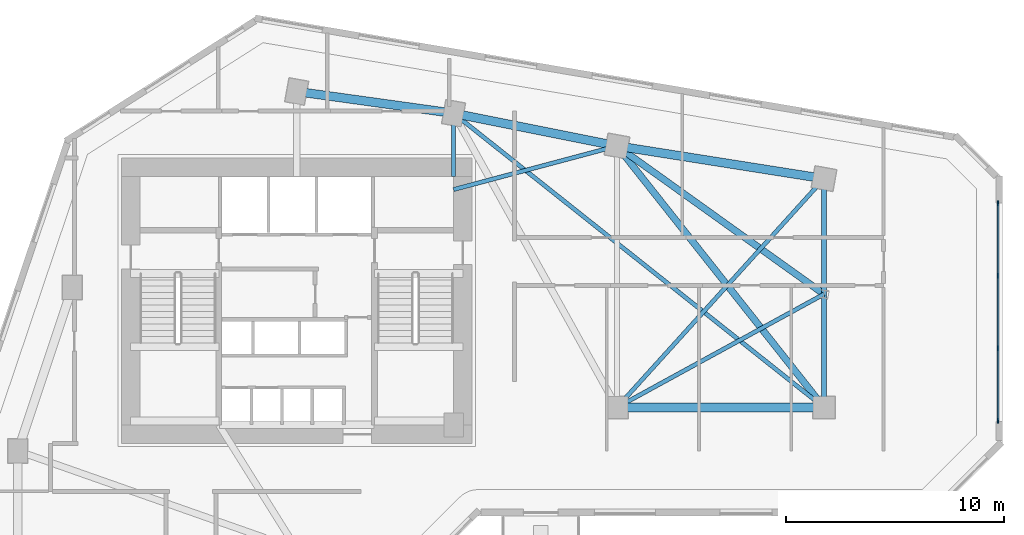
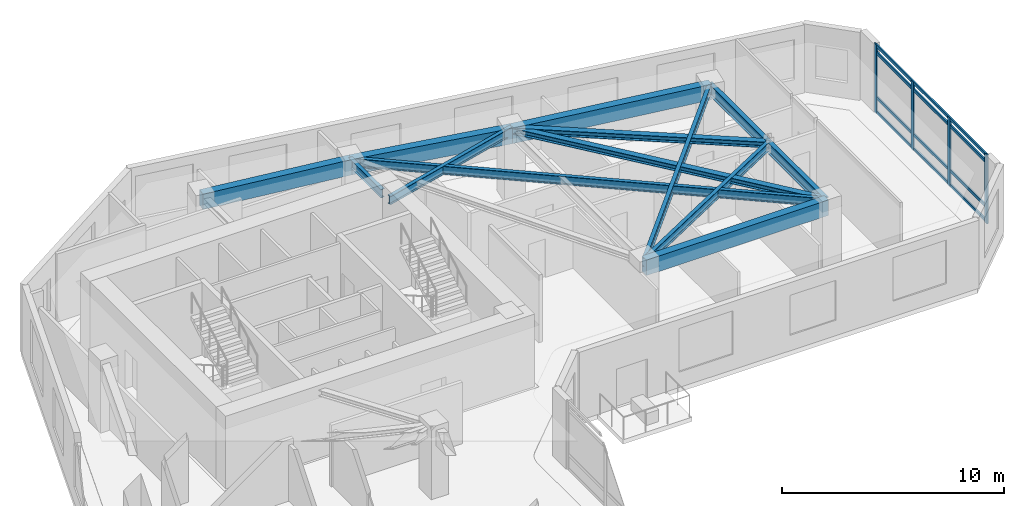
# One storey, part 3 of 9: 12 beams, 8 members, 1 element without a shape of its own.
"""IFC4 building model written with IfcOpenShell, lengths in metres."""

from ifc_helpers import new_model, si_unit, direction, frame, origin, origin_2d, place, context, subcontext, project, spatial, rectangle, i_section, extrude, source, transform, mapped, material, material_profile, profile_set, type_object, element, aggregate, save


model = new_model("IFC4")

# Units and contexts
model_context = context("Model", 3, precision=1e-05, world=origin(), true_north=direction((0.0, 1.0)))
body_context = subcontext(model_context, "Body", "Model", "MODEL_VIEW")
ifc_project = project(units=[si_unit("LENGTHUNIT", "METRE"), si_unit("AREAUNIT", "SQUARE_METRE"), si_unit("VOLUMEUNIT", "CUBIC_METRE"), si_unit("PLANEANGLEUNIT", "RADIAN"), si_unit("MASSUNIT", "GRAM", prefix="KILO")], contexts=[model_context])

# Site, building, storey
site_placement = place(None, origin())
site = spatial("IfcSite", under=ifc_project, at=site_placement, CompositionType="ELEMENT")
building_placement = place(site_placement, origin())
building = spatial("IfcBuilding", under=site, at=building_placement, Name="Calvemar Wedge Station Tower", CompositionType="ELEMENT")
storey_placement = place(building_placement, frame((0.0, 0.0, 91.0)))
storey = spatial("IfcBuildingStorey", under=building, at=storey_placement, Name="L22", CompositionType="ELEMENT", Elevation=91.0)

# Beams
ifc_material_1 = material(Name="Concrete C60", Category="concrete")
ifc_material_profile_1 = material_profile(ifc_material_1, rectangle(XDim=0.39990234375, YDim=0.85009765625, at=origin_2d()), Name="RC400x850")
ifc_profile_set_1 = profile_set([ifc_material_profile_1], Name="Concrete C60")
beam_type_1 = type_object("IfcBeamType", Name="BM-SP1-850", PredefinedType="SPANDREL", material=ifc_profile_set_1)
shared_shape_1 = source(origin(), body_context, "Body", "SweptSolid", [
    extrude(rectangle(XDim=0.39990234375, YDim=0.85009765625, at=origin_2d()), origin(), (0.0, 0.0, 1.0), 7.26904296875),
])
beam_1_placement = place(storey_placement, frame((23.800048828125, 49.5, 3.324951171875), z_axis=(0.990492146053, -0.13756928657, 0.0), x_axis=(0.13756928657, 0.990492146053, 0.0)))
element("IfcBeam", 1, at=beam_1_placement, inside=storey, type_object=beam_type_1, Name="Storey L22 Spandrel T-N1-T-N2", PredefinedType="SPANDREL", context=body_context, shape_type="MappedRepresentation", body=[
    mapped(shared_shape_1, transform((0.0, 0.0, 0.0), scale=1.0)),
])
shared_shape_2 = source(origin(), body_context, "Body", "SweptSolid", [
    extrude(rectangle(XDim=0.39990234375, YDim=0.85009765625, at=origin_2d()), origin(), (0.0, 0.0, 1.0), 7.6484375),
])
beam_2_placement = place(storey_placement, frame((31.0, 48.5, 3.324951171875), z_axis=(0.980580675691, -0.196116135138, 0.0), x_axis=(0.196116135138, 0.980580675691, 0.0)))
element("IfcBeam", 2, at=beam_2_placement, inside=storey, type_object=beam_type_1, Name="Storey L22 Spandrel T-N2-T-NU3", PredefinedType="SPANDREL", context=body_context, shape_type="MappedRepresentation", body=[
    mapped(shared_shape_2, transform((0.0, 0.0, 0.0), scale=1.0)),
])
shared_shape_3 = source(origin(), body_context, "Body", "SweptSolid", [
    extrude(rectangle(XDim=0.39990234375, YDim=0.85009765625, at=origin_2d()), origin(), (0.0, 0.0, 1.0), 9.61767578125),
])
beam_3_placement = place(storey_placement, frame((38.5, 47.0, 3.324951171875), z_axis=(0.987762965329, -0.155962573473, 0.0), x_axis=(0.155962573473, 0.987762965329, 0.0)))
element("IfcBeam", 3, at=beam_3_placement, inside=storey, type_object=beam_type_1, Name="Storey L22 Spandrel T-NU3-T-NU4", PredefinedType="SPANDREL", context=body_context, shape_type="MappedRepresentation", body=[
    mapped(shared_shape_3, transform((0.0, 0.0, 0.0), scale=1.0)),
])
shared_shape_4 = source(origin(), body_context, "Body", "SweptSolid", [
    extrude(rectangle(XDim=0.39990234375, YDim=0.85009765625, at=origin_2d()), origin(), (0.0, 0.0, 1.0), 9.5),
])
beam_4_placement = place(storey_placement, frame((38.5, 35.0, 3.324951171875), z_axis=(1.0, 0.0, 0.0), x_axis=(0.0, 1.0, 0.0)))
element("IfcBeam", 4, at=beam_4_placement, inside=storey, type_object=beam_type_1, Name="Storey L22 Spandrel T-NL2-T-NL3", PredefinedType="SPANDREL", context=body_context, shape_type="MappedRepresentation", body=[
    mapped(shared_shape_4, transform((0.0, 0.0, 0.0), scale=1.0)),
])
ifc_material_2 = material(Name="Structural steel ASTM A572 Grade 50", Category="steel")
ifc_material_profile_2 = material_profile(ifc_material_2, i_section(OverallWidth=0.22998046875, OverallDepth=0.616943359375, WebThickness=0.01318359375, FlangeThickness=0.022216796875, FilletRadius=0.012939453125, at=origin_2d()), Name="W610x140")
ifc_profile_set_2 = profile_set([ifc_material_profile_2], Name="Structural steel ASTM A572 Grade 50")
beam_type_2 = type_object("IfcBeamType", Name="BM-SB2-W610", PredefinedType="BEAM", material=ifc_profile_set_2)
shared_shape_5 = source(origin(), body_context, "Body", "SweptSolid", [
    extrude(i_section(OverallWidth=0.22998046875, OverallDepth=0.616943359375, WebThickness=0.01318359375, FlangeThickness=0.022216796875, FilletRadius=0.012939453125, at=origin_2d()), origin(), (0.0, 0.0, 1.0), 10.5),
])
beam_5_placement = place(storey_placement, frame((48.0, 45.5, 3.44140625), z_axis=(0.0, -1.0, 0.0), x_axis=(1.0, 0.0, 0.0)))
element("IfcBeam", 5, at=beam_5_placement, inside=storey, type_object=beam_type_2, Name="Storey L22 Floor Beam T-NU4-T-NL3", PredefinedType="BEAM", context=body_context, shape_type="MappedRepresentation", body=[
    mapped(shared_shape_5, transform((0.0, 0.0, 0.0), scale=1.0)),
])
ifc_material_profile_3 = material_profile(ifc_material_2, i_section(OverallWidth=0.19189453125, OverallDepth=0.462890625, WebThickness=0.010498046875, FlangeThickness=0.017578125, FilletRadius=0.012939453125, at=origin_2d()), Name="W460x89")
ifc_profile_set_3 = profile_set([ifc_material_profile_3], Name="Structural steel ASTM A572 Grade 50")
beam_type_3 = type_object("IfcBeamType", Name="BM-J1-W460", PredefinedType="JOIST", material=ifc_profile_set_3)
shared_shape_6 = source(origin(), body_context, "Body", "SweptSolid", [
    extrude(i_section(OverallWidth=0.19189453125, OverallDepth=0.462890625, WebThickness=0.010498046875, FlangeThickness=0.017578125, FilletRadius=0.012939453125, at=origin_2d()), origin(), (0.0, 0.0, 1.0), 21.708251953125),
])
beam_6_placement = place(storey_placement, frame((31.0, 48.5, 3.5185546875), z_axis=(0.783110847498, -0.621882143602, 0.0), x_axis=(0.621882143602, 0.783110847498, 0.0)))
element("IfcBeam", 6, at=beam_6_placement, inside=storey, type_object=beam_type_3, Name="Storey L22 Floor Beam T-N2-T-NL3", PredefinedType="JOIST", context=body_context, shape_type="MappedRepresentation", body=[
    mapped(shared_shape_6, transform((0.0, 0.0, 0.0), scale=1.0)),
])
ifc_material_profile_4 = material_profile(ifc_material_2, i_section(OverallWidth=0.30908203125, OverallDepth=0.322998046875, WebThickness=0.013916015625, FlangeThickness=0.02294921875, FilletRadius=0.014892578125, at=origin_2d()), Name="W310x143")
ifc_profile_set_4 = profile_set([ifc_material_profile_4], Name="Structural steel ASTM A572 Grade 50")
beam_type_4 = type_object("IfcBeamType", Name="BM-J5-W310H", PredefinedType="JOIST", material=ifc_profile_set_4)
shared_shape_7 = source(origin(), body_context, "Body", "SweptSolid", [
    extrude(i_section(OverallWidth=0.30908203125, OverallDepth=0.322998046875, WebThickness=0.013916015625, FlangeThickness=0.02294921875, FilletRadius=0.014892578125, at=origin_2d()), origin(), (0.0, 0.0, 1.0), 15.30517578125),
])
beam_7_placement = place(storey_placement, frame((38.5, 47.0, 3.58837890625), z_axis=(0.620702944366, -0.784045824462, 0.0), x_axis=(0.784045824462, 0.620702944366, 0.0)))
element("IfcBeam", 7, at=beam_7_placement, inside=storey, type_object=beam_type_4, Name="Storey L22 Floor Beam T-NU3-T-NL3", PredefinedType="JOIST", context=body_context, shape_type="MappedRepresentation", body=[
    mapped(shared_shape_7, transform((0.0, 0.0, 0.0), scale=1.0)),
])
shared_shape_8 = source(origin(), body_context, "Body", "SweptSolid", [
    extrude(i_section(OverallWidth=0.19189453125, OverallDepth=0.462890625, WebThickness=0.010498046875, FlangeThickness=0.017578125, FilletRadius=0.012939453125, at=origin_2d()), origin(), (0.0, 0.0, 1.0), 14.159912109375),
])
beam_8_placement = place(storey_placement, frame((38.5, 35.0, 3.5185546875), z_axis=(0.670913323969, 0.741535779124, 0.0), x_axis=(-0.741535779124, 0.670913323969, 0.0)))
element("IfcBeam", 8, at=beam_8_placement, inside=storey, type_object=beam_type_3, Name="Storey L22 Floor Beam T-NL2-T-NU4", PredefinedType="JOIST", context=body_context, shape_type="MappedRepresentation", body=[
    mapped(shared_shape_8, transform((0.0, 0.0, 0.0), scale=1.0)),
])
shared_shape_9 = source(origin(), body_context, "Body", "SweptSolid", [
    extrude(i_section(OverallWidth=0.30908203125, OverallDepth=0.322998046875, WebThickness=0.013916015625, FlangeThickness=0.02294921875, FilletRadius=0.014892578125, at=origin_2d()), origin(), (0.0, 0.0, 1.0), 11.682861328125),
])
beam_9_placement = place(storey_placement, frame((48.0, 40.199951171875, 3.58837890625), z_axis=(-0.81315274409, 0.582050354161, 0.0), x_axis=(-0.582050354161, -0.81315274409, 0.0)))
element("IfcBeam", 9, at=beam_9_placement, inside=storey, type_object=beam_type_4, Name="Storey L22 Floor Beam T-NTIP-A-T-NU3", PredefinedType="JOIST", context=body_context, shape_type="MappedRepresentation", body=[
    mapped(shared_shape_9, transform((0.0, 0.0, 0.0), scale=1.0)),
])
shared_shape_10 = source(origin(), body_context, "Body", "SweptSolid", [
    extrude(i_section(OverallWidth=0.19189453125, OverallDepth=0.462890625, WebThickness=0.010498046875, FlangeThickness=0.017578125, FilletRadius=0.012939453125, at=origin_2d()), origin(), (0.0, 0.0, 1.0), 10.830078125),
])
beam_10_placement = place(storey_placement, frame((48.0, 40.199951171875, 3.5185546875), z_axis=(-0.877190767997, -0.480142017053, 0.0), x_axis=(0.480142017053, -0.877190767997, 0.0)))
element("IfcBeam", 10, at=beam_10_placement, inside=storey, type_object=beam_type_3, Name="Storey L22 Floor Beam T-NTIP-A-T-NL2", PredefinedType="JOIST", context=body_context, shape_type="MappedRepresentation", body=[
    mapped(shared_shape_10, transform((0.0, 0.0, 0.0), scale=1.0)),
])
shared_shape_11 = source(origin(), body_context, "Body", "SweptSolid", [
    extrude(i_section(OverallWidth=0.19189453125, OverallDepth=0.462890625, WebThickness=0.010498046875, FlangeThickness=0.017578125, FilletRadius=0.012939453125, at=origin_2d()), origin(), (0.0, 0.0, 1.0), 7.76220703125),
])
beam_11_placement = place(storey_placement, frame((31.0, 45.0, 3.5185546875), z_axis=(0.966234939601, 0.25766265056, 0.0), x_axis=(-0.25766265056, 0.966234939601, 0.0)))
element("IfcBeam", 11, at=beam_11_placement, inside=storey, type_object=beam_type_3, Name="Storey L22 Core-to-Column Joist CJ-E2", PredefinedType="JOIST", context=body_context, shape_type="MappedRepresentation", body=[
    mapped(shared_shape_11, transform((0.0, 0.0, 0.0), scale=1.0)),
])
shared_shape_12 = source(origin(), body_context, "Body", "SweptSolid", [
    extrude(i_section(OverallWidth=0.19189453125, OverallDepth=0.462890625, WebThickness=0.010498046875, FlangeThickness=0.017578125, FilletRadius=0.012939453125, at=origin_2d()), origin(), (0.0, 0.0, 1.0), 2.89990234375),
])
beam_12_placement = place(storey_placement, frame((31.0, 45.60009765625, 3.5185546875), z_axis=(0.0, 1.0, 0.0), x_axis=(-1.0, 0.0, 0.0)))
element("IfcBeam", 12, at=beam_12_placement, inside=storey, type_object=beam_type_3, Name="Storey L22 Core-to-Column Joist CJ-N2", PredefinedType="JOIST", context=body_context, shape_type="MappedRepresentation", body=[
    mapped(shared_shape_12, transform((0.0, 0.0, 0.0), scale=1.0)),
])

# Curtain wall, members
ifc_material_3 = material(Name="Anodised aluminium 6063-T6", Category="aluminium")
curtain_wall_type = type_object("IfcCurtainWallType", Name="CW1", PredefinedType="NOTDEFINED", material=ifc_material_3)
curtain_wall_placement = place(storey_placement, origin())
curtain_wall = element("IfcCurtainWall", 13, at=curtain_wall_placement, inside=storey, type_object=curtain_wall_type, Name="Storey L22 CW1 Recessed Unitised Curtain Wall 8", PredefinedType="NOTDEFINED")
ifc_material_profile_5 = material_profile(ifc_material_3, rectangle(XDim=0.080078125, YDim=0.219970703125, at=origin_2d()), Name="AL-MUL-80x220")
ifc_profile_set_5 = profile_set([ifc_material_profile_5], Name="Anodised aluminium 6063-T6")
member_type_1 = type_object("IfcMemberType", Name="CW1-MUL", PredefinedType="MULLION", material=ifc_profile_set_5)
shared_shape_13 = source(origin(), body_context, "Body", "SweptSolid", [
    extrude(rectangle(XDim=0.080078125, YDim=0.219970703125, at=origin_2d()), origin(), (0.0, 0.0, 1.0), 3.800048828125),
])
member_1_placement = place(storey_placement, frame((55.989990234375, 34.39013671875, -0.050048828125), z_axis=(0.0, 0.0, 1.0), x_axis=(1.0, 0.0, 0.0)))
member_1 = element("IfcMember", 14, at=member_1_placement, type_object=member_type_1, Name="CW1 mullion 1", PredefinedType="MULLION", context=body_context, shape_type="MappedRepresentation", body=[
    mapped(shared_shape_13, transform((0.0, 0.0, 0.0), scale=1.0)),
])
member_2_placement = place(storey_placement, frame((55.989990234375, 37.71533203125, -0.050048828125), z_axis=(0.0, 0.0, 1.0), x_axis=(1.0, 0.0, 0.0)))
member_2 = element("IfcMember", 15, at=member_2_placement, type_object=member_type_1, Name="CW1 mullion 2", PredefinedType="MULLION", context=body_context, shape_type="MappedRepresentation", body=[
    mapped(shared_shape_13, transform((0.0, 0.0, 0.0), scale=1.0)),
])
member_3_placement = place(storey_placement, frame((55.989990234375, 41.04052734375, -0.050048828125), z_axis=(0.0, 0.0, 1.0), x_axis=(1.0, 0.0, 0.0)))
member_3 = element("IfcMember", 16, at=member_3_placement, type_object=member_type_1, Name="CW1 mullion 3", PredefinedType="MULLION", context=body_context, shape_type="MappedRepresentation", body=[
    mapped(shared_shape_13, transform((0.0, 0.0, 0.0), scale=1.0)),
])
member_4_placement = place(storey_placement, frame((55.989990234375, 44.365966796875, -0.050048828125), z_axis=(0.0, 0.0, 1.0), x_axis=(1.0, 0.0, 0.0)))
member_4 = element("IfcMember", 17, at=member_4_placement, type_object=member_type_1, Name="CW1 mullion 4", PredefinedType="MULLION", context=body_context, shape_type="MappedRepresentation", body=[
    mapped(shared_shape_13, transform((0.0, 0.0, 0.0), scale=1.0)),
])
ifc_material_profile_6 = material_profile(ifc_material_3, rectangle(XDim=0.080078125, YDim=0.159912109375, at=origin_2d()), Name="AL-TRN-80x160")
ifc_profile_set_6 = profile_set([ifc_material_profile_6], Name="Anodised aluminium 6063-T6")
member_type_2 = type_object("IfcMemberType", Name="CW1-TRN", PredefinedType="USERDEFINED", material=ifc_profile_set_6)
shared_shape_14 = source(origin(), body_context, "Body", "SweptSolid", [
    extrude(rectangle(XDim=0.080078125, YDim=0.159912109375, at=origin_2d()), origin(), (0.0, 0.0, 1.0), 9.975830078125),
])
member_5_placement = place(storey_placement, frame((55.989990234375, 34.39013671875, 0.06005859375), z_axis=(0.0, 1.0, 0.0), x_axis=(-1.0, 0.0, 0.0)))
member_5 = element("IfcMember", 18, at=member_5_placement, type_object=member_type_2, Name="CW1 transom 1", ObjectType="TRANSOM", PredefinedType="USERDEFINED", context=body_context, shape_type="MappedRepresentation", body=[
    mapped(shared_shape_14, transform((0.0, 0.0, 0.0), scale=1.0)),
])
member_6_placement = place(storey_placement, frame((55.989990234375, 34.39013671875, 0.85009765625), z_axis=(0.0, 1.0, 0.0), x_axis=(-1.0, 0.0, 0.0)))
member_6 = element("IfcMember", 19, at=member_6_placement, type_object=member_type_2, Name="CW1 transom 2", ObjectType="TRANSOM", PredefinedType="USERDEFINED", context=body_context, shape_type="MappedRepresentation", body=[
    mapped(shared_shape_14, transform((0.0, 0.0, 0.0), scale=1.0)),
])
member_7_placement = place(storey_placement, frame((55.989990234375, 34.39013671875, 3.300048828125), z_axis=(0.0, 1.0, 0.0), x_axis=(-1.0, 0.0, 0.0)))
member_7 = element("IfcMember", 20, at=member_7_placement, type_object=member_type_2, Name="CW1 transom 3", ObjectType="TRANSOM", PredefinedType="USERDEFINED", context=body_context, shape_type="MappedRepresentation", body=[
    mapped(shared_shape_14, transform((0.0, 0.0, 0.0), scale=1.0)),
])
member_8_placement = place(storey_placement, frame((55.989990234375, 34.39013671875, 3.68994140625), z_axis=(0.0, 1.0, 0.0), x_axis=(-1.0, 0.0, 0.0)))
member_8 = element("IfcMember", 21, at=member_8_placement, type_object=member_type_2, Name="CW1 transom 4", ObjectType="TRANSOM", PredefinedType="USERDEFINED", context=body_context, shape_type="MappedRepresentation", body=[
    mapped(shared_shape_14, transform((0.0, 0.0, 0.0), scale=1.0)),
])
aggregate(curtain_wall, [member_1, member_2, member_3, member_4, member_5, member_6, member_7, member_8])

save(model, "model.ifc")
